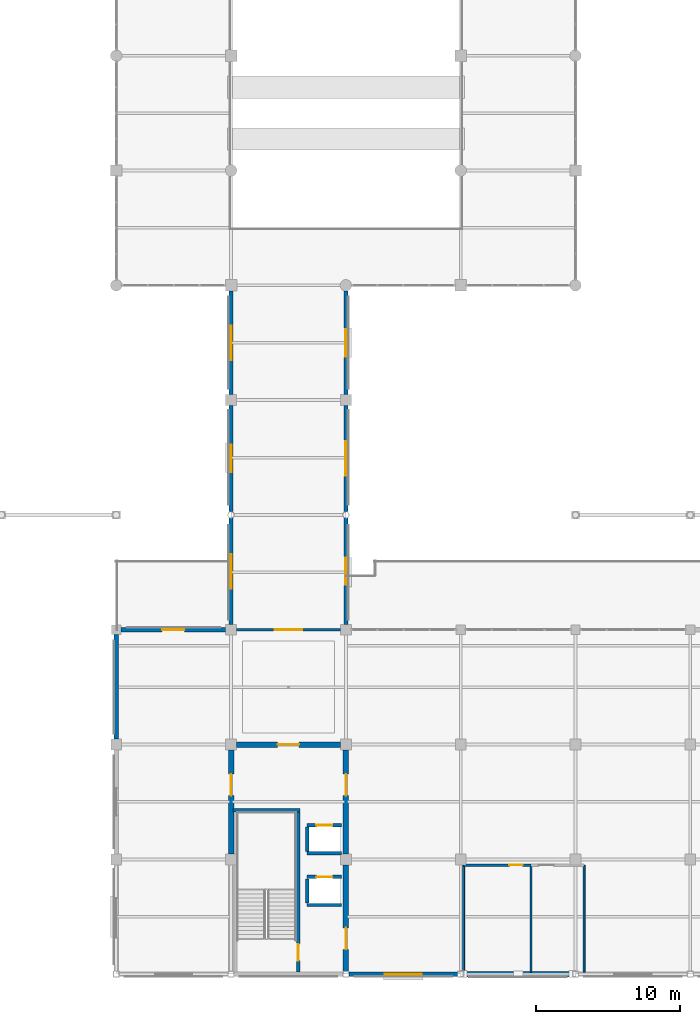
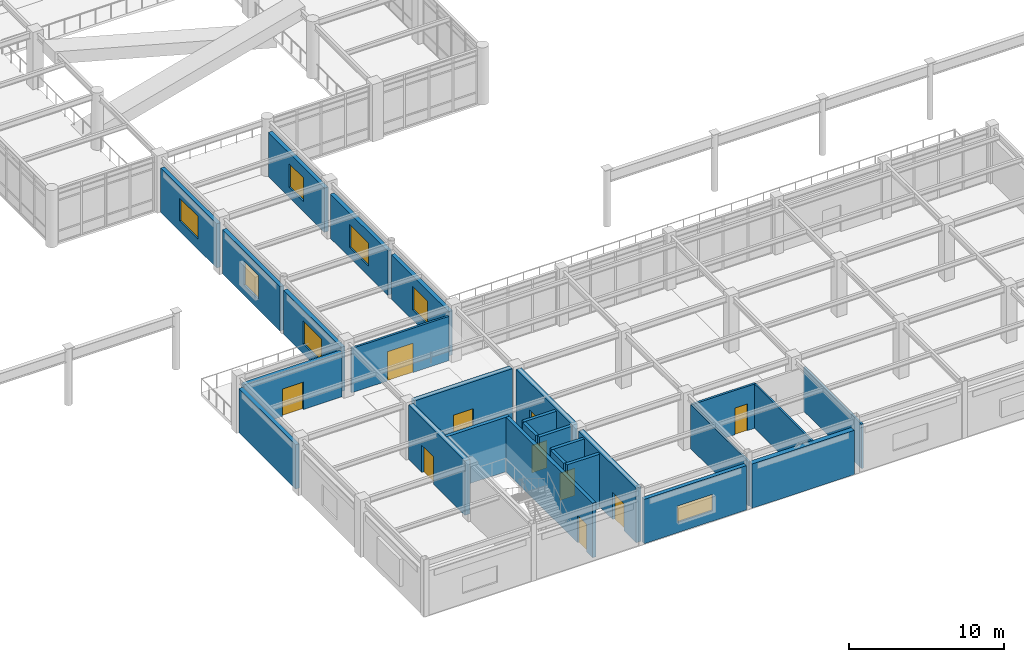
# One storey, part 60 of 78: 27 walls, 10 doors, 7 windows, 17 openings.
"""IFC4 building model written with IfcOpenShell, lengths in metres."""

from ifc_helpers import new_model, si_unit, direction, frame, frame_2d, origin, place, context, subcontext, project, spatial, rectangle, extrude, material, layer, layer_set, type_object, element, fill, save


model = new_model("IFC4")

# Units and contexts
model_context = context("Model", 3, precision=1e-05, world=origin(), true_north=direction((0.0, 1.0)))
body_context = subcontext(model_context, "Body", "Model", "MODEL_VIEW")
ifc_project = project(units=[si_unit("LENGTHUNIT", "METRE"), si_unit("AREAUNIT", "SQUARE_METRE"), si_unit("VOLUMEUNIT", "CUBIC_METRE"), si_unit("PLANEANGLEUNIT", "RADIAN"), si_unit("MASSUNIT", "GRAM", prefix="KILO")], contexts=[model_context])

# Site, building, storey
site_placement = place(None, origin())
site = spatial("IfcSite", under=ifc_project, at=site_placement, CompositionType="ELEMENT")
building_placement = place(site_placement, origin())
building = spatial("IfcBuilding", under=site, at=building_placement, Name="Solmirada Galleria", CompositionType="ELEMENT")
storey_placement = place(building_placement, frame((0.0, 0.0, 23.89990234375)))
storey = spatial("IfcBuildingStorey", under=building, at=storey_placement, Name="L05", CompositionType="ELEMENT", Elevation=23.89990234375)

# Wall, opening, door
ifc_material_1 = material(Name="Concrete C40/50", Category="concrete")
ifc_layer_1 = layer(ifc_material_1, 0.3798828125)
ifc_layer_set_1 = layer_set([ifc_layer_1], Name="Concrete C40/50")
wall_type_1 = type_object("IfcWallType", Name="WL-CORE-380", PredefinedType="SHEAR", material=ifc_layer_set_1)
wall_1_placement = place(storey_placement, frame((88.375, 16.0, 0.0), z_axis=(0.0, 0.0, 1.0), x_axis=(1.0, 0.0, 0.0)))
wall_1 = element("IfcWall", 1, at=wall_1_placement, inside=storey, type_object=wall_type_1, Name="Core C2 shear wall L05 N1", PredefinedType="SHEAR", context=body_context, shape_type="SweptSolid", body=[
    extrude(rectangle(XDim=7.25, YDim=0.3798828125, at=frame_2d((3.625, 0.0))), origin(), (0.0, 0.0, 1.0), 4.280029296875),
])
opening_1_placement = place(wall_1_placement, frame((2.875, 0.0, 0.0)))
opening_1 = element("IfcOpeningElement", 2, at=opening_1_placement, cuts=wall_1, Name="Opening LDY-160", PredefinedType="OPENING", context=body_context, shape_type="SweptSolid", body=[
    extrude(rectangle(XDim=1.5, YDim=2.14990234375, at=frame_2d((0.75, 1.074951171875))), frame((0.0, 0.199951171875, 0.0), z_axis=(0.0, -1.0, 0.0), x_axis=(1.0, 0.0, 0.0)), (0.0, 0.0, 1.0), 0.39990234375),
])
ifc_material_2 = material(Name="Fire-rated painted steel door assembly", Category="steel")
door_type_1 = type_object("IfcDoorType", Name="DR-LOBBY-150X215", OperationType="DOUBLE_DOOR_SINGLE_SWING", PredefinedType="DOOR", material=ifc_material_2)
door_1_placement = place(opening_1_placement, origin())
door_1 = element("IfcDoor", 3, at=door_1_placement, inside=storey, type_object=door_type_1, Name="Core C2 lobby access fire door LDY-160", OperationType="DOUBLE_DOOR_SINGLE_SWING", OverallHeight=2.14990234375, OverallWidth=1.5, PredefinedType="DOOR", context=body_context, shape_type="SweptSolid", body=[
    extrude(rectangle(XDim=1.5, YDim=2.14990234375, at=frame_2d((0.75, 1.074951171875))), frame((0.0, 0.02490234375, 0.0), z_axis=(0.0, -1.0, 0.0), x_axis=(1.0, 0.0, 0.0)), (0.0, 0.0, 1.0), 0.050048828125),
])
fill(opening_1, door_1)

wall_2_placement = place(storey_placement, frame((88.0, 8.375, 0.0), z_axis=(0.0, 0.0, 1.0), x_axis=(0.0, 1.0, 0.0)))
wall_2 = element("IfcWall", 4, at=wall_2_placement, inside=storey, type_object=wall_type_1, Name="Core C2 shear wall L05 W2", PredefinedType="SHEAR", context=body_context, shape_type="SweptSolid", body=[
    extrude(rectangle(XDim=7.25, YDim=0.3798828125, at=frame_2d((3.625, 0.0))), origin(), (0.0, 0.0, 1.0), 4.280029296875),
])
opening_2_placement = place(wall_2_placement, frame((4.06201171875, 0.0, 0.0)))
opening_2 = element("IfcOpeningElement", 5, at=opening_2_placement, cuts=wall_2, Name="Opening LDY-161", PredefinedType="OPENING", context=body_context, shape_type="SweptSolid", body=[
    extrude(rectangle(XDim=1.5, YDim=2.14990234375, at=frame_2d((0.75, 1.074951171875))), frame((0.0, 0.199951171875, 0.0), z_axis=(0.0, -1.0, 0.0), x_axis=(1.0, 0.0, 0.0)), (0.0, 0.0, 1.0), 0.39990234375),
])
door_2_placement = place(opening_2_placement, origin())
door_2 = element("IfcDoor", 6, at=door_2_placement, inside=storey, type_object=door_type_1, Name="Core C2 lobby access fire door LDY-161", OperationType="DOUBLE_DOOR_SINGLE_SWING", OverallHeight=2.14990234375, OverallWidth=1.5, PredefinedType="DOOR", context=body_context, shape_type="SweptSolid", body=[
    extrude(rectangle(XDim=1.5, YDim=2.14990234375, at=frame_2d((0.75, 1.074951171875))), frame((0.0, 0.02490234375, 0.0), z_axis=(0.0, -1.0, 0.0), x_axis=(1.0, 0.0, 0.0)), (0.0, 0.0, 1.0), 0.050048828125),
])
fill(opening_2, door_2)

wall_3_placement = place(storey_placement, frame((96.0, 0.202880859375, 0.0), z_axis=(0.0, 0.0, 1.0), x_axis=(0.0, 1.0, 0.0)))
wall_3 = element("IfcWall", 7, at=wall_3_placement, inside=storey, type_object=wall_type_1, Name="Core C2 shear wall L05 E1", PredefinedType="SHEAR", context=body_context, shape_type="SweptSolid", body=[
    extrude(rectangle(XDim=7.422119140625, YDim=0.3798828125, at=frame_2d((3.7109375, 0.0))), origin(), (0.0, 0.0, 1.0), 4.280029296875),
])
opening_3_placement = place(wall_3_placement, frame((1.52294921875, 0.0, 0.0)))
opening_3 = element("IfcOpeningElement", 8, at=opening_3_placement, cuts=wall_3, Name="Opening LDY-162", PredefinedType="OPENING", context=body_context, shape_type="SweptSolid", body=[
    extrude(rectangle(XDim=1.5, YDim=2.14990234375, at=frame_2d((0.75, 1.074951171875))), frame((0.0, 0.199951171875, 0.0), z_axis=(0.0, -1.0, 0.0), x_axis=(1.0, 0.0, 0.0)), (0.0, 0.0, 1.0), 0.39990234375),
])
door_3_placement = place(opening_3_placement, origin())
door_3 = element("IfcDoor", 9, at=door_3_placement, inside=storey, type_object=door_type_1, Name="Core C2 lobby access fire door LDY-162", OperationType="DOUBLE_DOOR_SINGLE_SWING", OverallHeight=2.14990234375, OverallWidth=1.5, PredefinedType="DOOR", context=body_context, shape_type="SweptSolid", body=[
    extrude(rectangle(XDim=1.5, YDim=2.14990234375, at=frame_2d((0.75, 1.074951171875))), frame((0.0, 0.02490234375, 0.0), z_axis=(0.0, -1.0, 0.0), x_axis=(1.0, 0.0, 0.0)), (0.0, 0.0, 1.0), 0.050048828125),
])
fill(opening_3, door_3)

wall_4_placement = place(storey_placement, frame((96.0, 8.375, 0.0), z_axis=(0.0, 0.0, 1.0), x_axis=(0.0, 1.0, 0.0)))
wall_4 = element("IfcWall", 10, at=wall_4_placement, inside=storey, type_object=wall_type_1, Name="Core C2 shear wall L05 E2", PredefinedType="SHEAR", context=body_context, shape_type="SweptSolid", body=[
    extrude(rectangle(XDim=7.25, YDim=0.3798828125, at=frame_2d((3.625, 0.0))), origin(), (0.0, 0.0, 1.0), 4.280029296875),
])
opening_4_placement = place(wall_4_placement, frame((4.06201171875, 0.0, 0.0)))
opening_4 = element("IfcOpeningElement", 11, at=opening_4_placement, cuts=wall_4, Name="Opening LDY-163", PredefinedType="OPENING", context=body_context, shape_type="SweptSolid", body=[
    extrude(rectangle(XDim=1.5, YDim=2.14990234375, at=frame_2d((0.75, 1.074951171875))), frame((0.0, 0.199951171875, 0.0), z_axis=(0.0, -1.0, 0.0), x_axis=(1.0, 0.0, 0.0)), (0.0, 0.0, 1.0), 0.39990234375),
])
door_4_placement = place(opening_4_placement, origin())
door_4 = element("IfcDoor", 12, at=door_4_placement, inside=storey, type_object=door_type_1, Name="Core C2 lobby access fire door LDY-163", OperationType="DOUBLE_DOOR_SINGLE_SWING", OverallHeight=2.14990234375, OverallWidth=1.5, PredefinedType="DOOR", context=body_context, shape_type="SweptSolid", body=[
    extrude(rectangle(XDim=1.5, YDim=2.14990234375, at=frame_2d((0.75, 1.074951171875))), frame((0.0, 0.02490234375, 0.0), z_axis=(0.0, -1.0, 0.0), x_axis=(1.0, 0.0, 0.0)), (0.0, 0.0, 1.0), 0.050048828125),
])
fill(opening_4, door_4)

# Wall, opening, window
ifc_material_3 = material(Name="Precast concrete C40/50", Category="concrete")
ifc_layer_2 = layer(ifc_material_3, 0.2900390625)
ifc_layer_set_2 = layer_set([ifc_layer_2], Name="Precast concrete C40/50")
wall_type_2 = type_object("IfcWallType", Name="WL-EXT-290", PredefinedType="STANDARD", material=ifc_layer_set_2)
wall_5_placement = place(storey_placement, frame((88.0, 24.375, 0.0), z_axis=(0.0, 0.0, 1.0), x_axis=(0.0, 1.0, 0.0)))
wall_5 = element("IfcWall", 13, at=wall_5_placement, inside=storey, type_object=wall_type_2, Name="Exterior wall L05 bay 001", PredefinedType="STANDARD", context=body_context, shape_type="SweptSolid", body=[
    extrude(rectangle(XDim=7.396484375, YDim=0.2900390625, at=frame_2d((3.6982421875, 0.0))), origin(), (0.0, 0.0, 1.0), 3.47998046875),
])
opening_5_placement = place(wall_5_placement, frame((2.498046875, 0.0, 0.800048828125)))
opening_5 = element("IfcOpeningElement", 14, at=opening_5_placement, cuts=wall_5, Name="Opening WN27", PredefinedType="OPENING", context=body_context, shape_type="SweptSolid", body=[
    extrude(rectangle(XDim=2.39990234375, YDim=1.800048828125, at=frame_2d((1.199951171875, 0.89990234375))), frame((0.0, 0.155029296875, 0.0), z_axis=(0.0, -1.0, 0.0), x_axis=(1.0, 0.0, 0.0)), (0.0, 0.0, 1.0), 0.31005859375),
])
ifc_material_4 = material(Name="Impact-resistant low-E double glazing", Category="glass")
window_type_1 = type_object("IfcWindowType", Name="WIN-MOD-240X180", PartitioningType="DOUBLE_PANEL_VERTICAL", PredefinedType="WINDOW", material=ifc_material_4)
window_1_placement = place(opening_5_placement, origin())
window_1 = element("IfcWindow", 15, at=window_1_placement, inside=storey, type_object=window_type_1, Name="Window L05-147", OverallHeight=1.800048828125, OverallWidth=2.39990234375, PartitioningType="DOUBLE_PANEL_VERTICAL", PredefinedType="WINDOW", context=body_context, shape_type="SweptSolid", body=[
    extrude(rectangle(XDim=2.39990234375, YDim=1.800048828125, at=frame_2d((1.199951171875, 0.89990234375))), frame((0.0, 0.030029296875, 0.0), z_axis=(0.0, -1.0, 0.0), x_axis=(1.0, 0.0, 0.0)), (0.0, 0.0, 1.0), 0.06005859375),
])
fill(opening_5, window_1)

wall_6_placement = place(storey_placement, frame((88.0, 32.228515625, 0.0), z_axis=(0.0, 0.0, 1.0), x_axis=(0.0, 1.0, 0.0)))
wall_6 = element("IfcWall", 16, at=wall_6_placement, inside=storey, type_object=wall_type_2, Name="Exterior wall L05 bay 002", PredefinedType="STANDARD", context=body_context, shape_type="SweptSolid", body=[
    extrude(rectangle(XDim=7.396484375, YDim=0.2900390625, at=frame_2d((3.6982421875, 0.0))), origin(), (0.0, 0.0, 1.0), 3.47998046875),
])
opening_6_placement = place(wall_6_placement, frame((2.748046875, 0.0, 0.800048828125)))
opening_6 = element("IfcOpeningElement", 17, at=opening_6_placement, cuts=wall_6, Name="Opening WN5", PredefinedType="OPENING", context=body_context, shape_type="SweptSolid", body=[
    extrude(rectangle(XDim=1.89990234375, YDim=1.85009765625, at=frame_2d((0.949951171875, 0.925048828125))), frame((0.0, 0.155029296875, 0.0), z_axis=(0.0, -1.0, 0.0), x_axis=(1.0, 0.0, 0.0)), (0.0, 0.0, 1.0), 0.31005859375),
])
window_type_2 = type_object("IfcWindowType", Name="WIN-AVE-190X185", PartitioningType="SINGLE_PANEL", PredefinedType="WINDOW", material=ifc_material_4)
window_2_placement = place(opening_6_placement, origin())
window_2 = element("IfcWindow", 18, at=window_2_placement, inside=storey, type_object=window_type_2, Name="Window L05-148", OverallHeight=1.85009765625, OverallWidth=1.89990234375, PartitioningType="SINGLE_PANEL", PredefinedType="WINDOW", context=body_context, shape_type="SweptSolid", body=[
    extrude(rectangle(XDim=1.89990234375, YDim=1.85009765625, at=frame_2d((0.949951171875, 0.925048828125))), frame((0.0, 0.030029296875, 0.0), z_axis=(0.0, -1.0, 0.0), x_axis=(1.0, 0.0, 0.0)), (0.0, 0.0, 1.0), 0.06005859375),
])
fill(opening_6, window_2)

wall_7_placement = place(storey_placement, frame((88.0, 40.375, 0.0), z_axis=(0.0, 0.0, 1.0), x_axis=(0.0, 1.0, 0.0)))
wall_7 = element("IfcWall", 19, at=wall_7_placement, inside=storey, type_object=wall_type_2, Name="Exterior wall L05 bay 003", PredefinedType="STANDARD", context=body_context, shape_type="SweptSolid", body=[
    extrude(rectangle(XDim=7.22509765625, YDim=0.2900390625, at=frame_2d((3.612548828125, 0.0))), origin(), (0.0, 0.0, 1.0), 3.47998046875),
])
opening_7_placement = place(wall_7_placement, frame((2.4130859375, 0.0, 0.800048828125)))
opening_7 = element("IfcOpeningElement", 20, at=opening_7_placement, cuts=wall_7, Name="Opening WN27", PredefinedType="OPENING", context=body_context, shape_type="SweptSolid", body=[
    extrude(rectangle(XDim=2.39990234375, YDim=1.800048828125, at=frame_2d((1.199951171875, 0.89990234375))), frame((0.0, 0.155029296875, 0.0), z_axis=(0.0, -1.0, 0.0), x_axis=(1.0, 0.0, 0.0)), (0.0, 0.0, 1.0), 0.31005859375),
])
window_3_placement = place(opening_7_placement, origin())
window_3 = element("IfcWindow", 21, at=window_3_placement, inside=storey, type_object=window_type_1, Name="Window L05-149", OverallHeight=1.800048828125, OverallWidth=2.39990234375, PartitioningType="DOUBLE_PANEL_VERTICAL", PredefinedType="WINDOW", context=body_context, shape_type="SweptSolid", body=[
    extrude(rectangle(XDim=2.39990234375, YDim=1.800048828125, at=frame_2d((1.199951171875, 0.89990234375))), frame((0.0, 0.030029296875, 0.0), z_axis=(0.0, -1.0, 0.0), x_axis=(1.0, 0.0, 0.0)), (0.0, 0.0, 1.0), 0.06005859375),
])
fill(opening_7, window_3)

wall_8_placement = place(storey_placement, frame((96.0, 47.60009765625, 0.0), z_axis=(0.0, 0.0, 1.0), x_axis=(0.0, -1.0, 0.0)))
wall_8 = element("IfcWall", 22, at=wall_8_placement, inside=storey, type_object=wall_type_2, Name="Exterior wall L05 bay 045", PredefinedType="STANDARD", context=body_context, shape_type="SweptSolid", body=[
    extrude(rectangle(XDim=7.22509765625, YDim=0.2900390625, at=frame_2d((3.612548828125, 0.0))), origin(), (0.0, 0.0, 1.0), 3.47998046875),
])
opening_8_placement = place(wall_8_placement, frame((2.6630859375, 0.0, 0.800048828125)))
opening_8 = element("IfcOpeningElement", 23, at=opening_8_placement, cuts=wall_8, Name="Opening WN5", PredefinedType="OPENING", context=body_context, shape_type="SweptSolid", body=[
    extrude(rectangle(XDim=1.89990234375, YDim=1.85009765625, at=frame_2d((0.949951171875, 0.925048828125))), frame((0.0, 0.155029296875, 0.0), z_axis=(0.0, -1.0, 0.0), x_axis=(1.0, 0.0, 0.0)), (0.0, 0.0, 1.0), 0.31005859375),
])
window_4_placement = place(opening_8_placement, origin())
window_4 = element("IfcWindow", 24, at=window_4_placement, inside=storey, type_object=window_type_2, Name="Window L05-166", OverallHeight=1.85009765625, OverallWidth=1.89990234375, PartitioningType="SINGLE_PANEL", PredefinedType="WINDOW", context=body_context, shape_type="SweptSolid", body=[
    extrude(rectangle(XDim=1.89990234375, YDim=1.85009765625, at=frame_2d((0.949951171875, 0.925048828125))), frame((0.0, 0.030029296875, 0.0), z_axis=(0.0, -1.0, 0.0), x_axis=(1.0, 0.0, 0.0)), (0.0, 0.0, 1.0), 0.06005859375),
])
fill(opening_8, window_4)

wall_9_placement = place(storey_placement, frame((96.0, 39.625, 0.0), z_axis=(0.0, 0.0, 1.0), x_axis=(0.0, -1.0, 0.0)))
wall_9 = element("IfcWall", 25, at=wall_9_placement, inside=storey, type_object=wall_type_2, Name="Exterior wall L05 bay 046", PredefinedType="STANDARD", context=body_context, shape_type="SweptSolid", body=[
    extrude(rectangle(XDim=7.396484375, YDim=0.2900390625, at=frame_2d((3.6982421875, 0.0))), origin(), (0.0, 0.0, 1.0), 3.47998046875),
])
opening_9_placement = place(wall_9_placement, frame((2.498046875, 0.0, 0.800048828125)))
opening_9 = element("IfcOpeningElement", 26, at=opening_9_placement, cuts=wall_9, Name="Opening WN27", PredefinedType="OPENING", context=body_context, shape_type="SweptSolid", body=[
    extrude(rectangle(XDim=2.39990234375, YDim=1.800048828125, at=frame_2d((1.199951171875, 0.89990234375))), frame((0.0, 0.155029296875, 0.0), z_axis=(0.0, -1.0, 0.0), x_axis=(1.0, 0.0, 0.0)), (0.0, 0.0, 1.0), 0.31005859375),
])
window_5_placement = place(opening_9_placement, origin())
window_5 = element("IfcWindow", 27, at=window_5_placement, inside=storey, type_object=window_type_1, Name="Window L05-167", OverallHeight=1.800048828125, OverallWidth=2.39990234375, PartitioningType="DOUBLE_PANEL_VERTICAL", PredefinedType="WINDOW", context=body_context, shape_type="SweptSolid", body=[
    extrude(rectangle(XDim=2.39990234375, YDim=1.800048828125, at=frame_2d((1.199951171875, 0.89990234375))), frame((0.0, 0.030029296875, 0.0), z_axis=(0.0, -1.0, 0.0), x_axis=(1.0, 0.0, 0.0)), (0.0, 0.0, 1.0), 0.06005859375),
])
fill(opening_9, window_5)

wall_10_placement = place(storey_placement, frame((96.0, 31.771484375, 0.0), z_axis=(0.0, 0.0, 1.0), x_axis=(0.0, -1.0, 0.0)))
wall_10 = element("IfcWall", 28, at=wall_10_placement, inside=storey, type_object=wall_type_2, Name="Exterior wall L05 bay 047", PredefinedType="STANDARD", context=body_context, shape_type="SweptSolid", body=[
    extrude(rectangle(XDim=7.396484375, YDim=0.2900390625, at=frame_2d((3.6982421875, 0.0))), origin(), (0.0, 0.0, 1.0), 3.47998046875),
])
opening_10_placement = place(wall_10_placement, frame((2.748046875, 0.0, 0.800048828125)))
opening_10 = element("IfcOpeningElement", 29, at=opening_10_placement, cuts=wall_10, Name="Opening WN5", PredefinedType="OPENING", context=body_context, shape_type="SweptSolid", body=[
    extrude(rectangle(XDim=1.89990234375, YDim=1.85009765625, at=frame_2d((0.949951171875, 0.925048828125))), frame((0.0, 0.155029296875, 0.0), z_axis=(0.0, -1.0, 0.0), x_axis=(1.0, 0.0, 0.0)), (0.0, 0.0, 1.0), 0.31005859375),
])
window_6_placement = place(opening_10_placement, origin())
window_6 = element("IfcWindow", 30, at=window_6_placement, inside=storey, type_object=window_type_2, Name="Window L05-168", OverallHeight=1.85009765625, OverallWidth=1.89990234375, PartitioningType="SINGLE_PANEL", PredefinedType="WINDOW", context=body_context, shape_type="SweptSolid", body=[
    extrude(rectangle(XDim=1.89990234375, YDim=1.85009765625, at=frame_2d((0.949951171875, 0.925048828125))), frame((0.0, 0.030029296875, 0.0), z_axis=(0.0, -1.0, 0.0), x_axis=(1.0, 0.0, 0.0)), (0.0, 0.0, 1.0), 0.06005859375),
])
fill(opening_10, window_6)

wall_11_placement = place(storey_placement, frame((103.797119140625, 0.0, 0.0), z_axis=(0.0, 0.0, 1.0), x_axis=(-1.0, 0.0, 0.0)))
wall_11 = element("IfcWall", 31, at=wall_11_placement, inside=storey, type_object=wall_type_2, Name="Exterior wall L05 bay 060", PredefinedType="STANDARD", context=body_context, shape_type="SweptSolid", body=[
    extrude(rectangle(XDim=7.59423828125, YDim=0.2900390625, at=frame_2d((3.797119140625, 0.0))), origin(), (0.0, 0.0, 1.0), 3.47998046875),
])
opening_11_placement = place(wall_11_placement, frame((2.4970703125, 0.0, 0.800048828125)))
opening_11 = element("IfcOpeningElement", 32, at=opening_11_placement, cuts=wall_11, Name="Opening WN36", PredefinedType="OPENING", context=body_context, shape_type="SweptSolid", body=[
    extrude(rectangle(XDim=2.60009765625, YDim=1.300048828125, at=frame_2d((1.300048828125, 0.64990234375))), frame((0.0, 0.155029296875, 0.0), z_axis=(0.0, -1.0, 0.0), x_axis=(1.0, 0.0, 0.0)), (0.0, 0.0, 1.0), 0.31005859375),
])
window_type_3 = type_object("IfcWindowType", Name="WIN-CLER-260X130", PartitioningType="DOUBLE_PANEL_VERTICAL", PredefinedType="WINDOW", material=ifc_material_4)
window_7_placement = place(opening_11_placement, origin())
window_7 = element("IfcWindow", 33, at=window_7_placement, inside=storey, type_object=window_type_3, Name="Window L05-174", OverallHeight=1.300048828125, OverallWidth=2.60009765625, PartitioningType="DOUBLE_PANEL_VERTICAL", PredefinedType="WINDOW", context=body_context, shape_type="SweptSolid", body=[
    extrude(rectangle(XDim=2.60009765625, YDim=1.300048828125, at=frame_2d((1.300048828125, 0.64990234375))), frame((0.0, 0.030029296875, 0.0), z_axis=(0.0, -1.0, 0.0), x_axis=(1.0, 0.0, 0.0)), (0.0, 0.0, 1.0), 0.06005859375),
])
fill(opening_11, window_7)

# Wall
wall_12_placement = place(storey_placement, frame((80.0, 16.375, 0.0), z_axis=(0.0, 0.0, 1.0), x_axis=(0.0, 1.0, 0.0)))
element("IfcWall", 34, at=wall_12_placement, inside=storey, type_object=wall_type_2, Name="Exterior wall L05 bay 065", PredefinedType="STANDARD", context=body_context, shape_type="SweptSolid", body=[
    extrude(rectangle(XDim=7.300048828125, YDim=0.2900390625, at=frame_2d((3.64990234375, 0.0))), origin(), (0.0, 0.0, 1.0), 3.47998046875),
])

# Wall, opening, door
wall_13_placement = place(storey_placement, frame((80.324951171875, 24.0, 0.0), z_axis=(0.0, 0.0, 1.0), x_axis=(1.0, 0.0, 0.0)))
wall_13 = element("IfcWall", 35, at=wall_13_placement, inside=storey, type_object=wall_type_2, Name="Exterior wall L05 bay 066", PredefinedType="STANDARD", context=body_context, shape_type="SweptSolid", body=[
    extrude(rectangle(XDim=7.300048828125, YDim=0.2900390625, at=frame_2d((3.64990234375, 0.0))), origin(), (0.0, 0.0, 1.0), 3.47998046875),
])
opening_12_placement = place(wall_13_placement, frame((2.875, 0.0, 0.0)))
opening_12 = element("IfcOpeningElement", 36, at=opening_12_placement, cuts=wall_13, Name="Opening TD-080", PredefinedType="OPENING", context=body_context, shape_type="SweptSolid", body=[
    extrude(rectangle(XDim=1.550048828125, YDim=2.14990234375, at=frame_2d((0.77490234375, 1.074951171875))), frame((0.0, 0.155029296875, 0.0), z_axis=(0.0, -1.0, 0.0), x_axis=(1.0, 0.0, 0.0)), (0.0, 0.0, 1.0), 0.31005859375),
])
ifc_material_5 = material(Name="Thermally broken aluminium and laminated glass door", Category="aluminium")
door_type_2 = type_object("IfcDoorType", Name="DR-TERR-155X215", OperationType="DOUBLE_DOOR_SINGLE_SWING", PredefinedType="DOOR", material=ifc_material_5)
door_5_placement = place(opening_12_placement, origin())
door_5 = element("IfcDoor", 37, at=door_5_placement, inside=storey, type_object=door_type_2, Name="Planted terrace access door TD-080", OperationType="DOUBLE_DOOR_SINGLE_SWING", OverallHeight=2.14990234375, OverallWidth=1.550048828125, PredefinedType="DOOR", context=body_context, shape_type="SweptSolid", body=[
    extrude(rectangle(XDim=1.550048828125, YDim=2.14990234375, at=frame_2d((0.77490234375, 1.074951171875))), frame((0.0, 0.02490234375, 0.0), z_axis=(0.0, -1.0, 0.0), x_axis=(1.0, 0.0, 0.0)), (0.0, 0.0, 1.0), 0.050048828125),
])
fill(opening_12, door_5)

ifc_layer_3 = layer(ifc_material_1, 0.239990234375)
ifc_layer_set_3 = layer_set([ifc_layer_3], Name="Concrete C40/50")
wall_type_3 = type_object("IfcWallType", Name="WL-HOIST-240", PredefinedType="PARTITIONING", material=ifc_layer_set_3)
wall_14_placement = place(storey_placement, frame((93.294921875, 6.780029296875, 0.0), z_axis=(0.0, 0.0, 1.0), x_axis=(1.0, 0.0, 0.0)))
wall_14 = element("IfcWall", 38, at=wall_14_placement, inside=storey, type_object=wall_type_3, Name="Lift LP3 hoistway front wall L05", PredefinedType="PARTITIONING", context=body_context, shape_type="SweptSolid", body=[
    extrude(rectangle(XDim=2.41015625, YDim=0.239990234375, at=frame_2d((1.205078125, 0.0))), origin(), (0.0, 0.0, 1.0), 4.280029296875),
])
opening_13_placement = place(wall_14_placement, frame((0.655029296875, 0.0, 0.0)))
opening_13 = element("IfcOpeningElement", 39, at=opening_13_placement, cuts=wall_14, Name="Opening LD-LP3-L05", PredefinedType="OPENING", context=body_context, shape_type="SweptSolid", body=[
    extrude(rectangle(XDim=1.10009765625, YDim=2.14990234375, at=frame_2d((0.550048828125, 1.074951171875))), frame((0.0, 0.1298828125, 0.0), z_axis=(0.0, -1.0, 0.0), x_axis=(1.0, 0.0, 0.0)), (0.0, 0.0, 1.0), 0.260009765625),
])
ifc_material_6 = material(Name="Brushed stainless-steel sliding landing door", Category="steel")
door_type_3 = type_object("IfcDoorType", Name="DR-LIFT-110X215", OperationType="SLIDING_TO_LEFT", PredefinedType="DOOR", material=ifc_material_6)
door_6_placement = place(opening_13_placement, origin())
door_6 = element("IfcDoor", 40, at=door_6_placement, inside=storey, type_object=door_type_3, Name="Lift LP3 sliding landing door L05", OperationType="SLIDING_TO_LEFT", OverallHeight=2.14990234375, OverallWidth=1.10009765625, PredefinedType="DOOR", context=body_context, shape_type="SweptSolid", body=[
    extrude(rectangle(XDim=1.10009765625, YDim=2.14990234375, at=frame_2d((0.550048828125, 1.074951171875))), frame((0.0, 0.02490234375, 0.0), z_axis=(0.0, -1.0, 0.0), x_axis=(1.0, 0.0, 0.0)), (0.0, 0.0, 1.0), 0.050048828125),
])
fill(opening_13, door_6)

# Walls
wall_15_placement = place(storey_placement, frame((93.294921875, 4.820068359375, 0.0), z_axis=(0.0, 0.0, 1.0), x_axis=(1.0, 0.0, 0.0)))
element("IfcWall", 41, at=wall_15_placement, inside=storey, type_object=wall_type_3, Name="Lift LP3 hoistway rear wall L05", PredefinedType="PARTITIONING", context=body_context, shape_type="SweptSolid", body=[
    extrude(rectangle(XDim=2.41015625, YDim=0.239990234375, at=frame_2d((1.205078125, 0.0))), origin(), (0.0, 0.0, 1.0), 4.280029296875),
])
wall_16_placement = place(storey_placement, frame((93.294921875, 4.9599609375, 0.0), z_axis=(0.0, 0.0, 1.0), x_axis=(0.0, 1.0, 0.0)))
element("IfcWall", 42, at=wall_16_placement, inside=storey, type_object=wall_type_3, Name="Lift LP3 hoistway side wall L L05", PredefinedType="PARTITIONING", context=body_context, shape_type="SweptSolid", body=[
    extrude(rectangle(XDim=1.679931640625, YDim=0.239990234375, at=frame_2d((0.83984375, 0.0))), origin(), (0.0, 0.0, 1.0), 4.280029296875),
])

# Wall, opening, door
wall_17_placement = place(storey_placement, frame((93.294921875, 10.3798828125, 0.0), z_axis=(0.0, 0.0, 1.0), x_axis=(1.0, 0.0, 0.0)))
wall_17 = element("IfcWall", 43, at=wall_17_placement, inside=storey, type_object=wall_type_3, Name="Lift LP4 hoistway front wall L05", PredefinedType="PARTITIONING", context=body_context, shape_type="SweptSolid", body=[
    extrude(rectangle(XDim=2.41015625, YDim=0.239990234375, at=frame_2d((1.205078125, 0.0))), origin(), (0.0, 0.0, 1.0), 4.280029296875),
])
opening_14_placement = place(wall_17_placement, frame((0.655029296875, 0.0, 0.0)))
opening_14 = element("IfcOpeningElement", 44, at=opening_14_placement, cuts=wall_17, Name="Opening LD-LP4-L05", PredefinedType="OPENING", context=body_context, shape_type="SweptSolid", body=[
    extrude(rectangle(XDim=1.10009765625, YDim=2.14990234375, at=frame_2d((0.550048828125, 1.074951171875))), frame((0.0, 0.1298828125, 0.0), z_axis=(0.0, -1.0, 0.0), x_axis=(1.0, 0.0, 0.0)), (0.0, 0.0, 1.0), 0.260009765625),
])
door_7_placement = place(opening_14_placement, origin())
door_7 = element("IfcDoor", 45, at=door_7_placement, inside=storey, type_object=door_type_3, Name="Lift LP4 sliding landing door L05", OperationType="SLIDING_TO_LEFT", OverallHeight=2.14990234375, OverallWidth=1.10009765625, PredefinedType="DOOR", context=body_context, shape_type="SweptSolid", body=[
    extrude(rectangle(XDim=1.10009765625, YDim=2.14990234375, at=frame_2d((0.550048828125, 1.074951171875))), frame((0.0, 0.02490234375, 0.0), z_axis=(0.0, -1.0, 0.0), x_axis=(1.0, 0.0, 0.0)), (0.0, 0.0, 1.0), 0.050048828125),
])
fill(opening_14, door_7)

# Walls
wall_18_placement = place(storey_placement, frame((93.294921875, 8.419921875, 0.0), z_axis=(0.0, 0.0, 1.0), x_axis=(1.0, 0.0, 0.0)))
element("IfcWall", 46, at=wall_18_placement, inside=storey, type_object=wall_type_3, Name="Lift LP4 hoistway rear wall L05", PredefinedType="PARTITIONING", context=body_context, shape_type="SweptSolid", body=[
    extrude(rectangle(XDim=2.41015625, YDim=0.239990234375, at=frame_2d((1.205078125, 0.0))), origin(), (0.0, 0.0, 1.0), 4.280029296875),
])
wall_19_placement = place(storey_placement, frame((93.294921875, 8.56005859375, 0.0), z_axis=(0.0, 0.0, 1.0), x_axis=(0.0, 1.0, 0.0)))
element("IfcWall", 47, at=wall_19_placement, inside=storey, type_object=wall_type_3, Name="Lift LP4 hoistway side wall L L05", PredefinedType="PARTITIONING", context=body_context, shape_type="SweptSolid", body=[
    extrude(rectangle(XDim=1.679931640625, YDim=0.239990234375, at=frame_2d((0.83984375, 0.0))), origin(), (0.0, 0.0, 1.0), 4.280029296875),
])
ifc_material_7 = material(Name="Acoustic gypsum board partition")
ifc_layer_4 = layer(ifc_material_7, 0.135009765625)
ifc_layer_set_4 = layer_set([ifc_layer_4], Name="Acoustic gypsum board partition")
wall_type_4 = type_object("IfcWallType", Name="WL-PART-135", PredefinedType="PARTITIONING", material=ifc_layer_set_4)
for number, where, z_axis, x_axis, name in (
    (48, (104.199951171875, 0.14990234375, 0.0), (0.0, 0.0, 1.0), (0.0, 1.0, 0.0), "Partition L05-151 (South WC West)"),
    (49, (108.89990234375, 0.14990234375, 0.0), (0.0, 0.0, 1.0), (0.0, 1.0, 0.0), "Partition L05-152 (South WC Divider)"),
    (50, (112.60009765625, 0.14990234375, 0.0), (0.0, 0.0, 1.0), (0.0, 1.0, 0.0), "Partition L05-153 (South WC East)"),
):
    element("IfcWall", number, at=place(storey_placement, frame(where, z_axis=z_axis, x_axis=x_axis)), inside=storey, type_object=wall_type_4, Name=name, PredefinedType="PARTITIONING", context=body_context, shape_type="SweptSolid", body=[
        extrude(rectangle(XDim=7.4501953125, YDim=0.135009765625, at=frame_2d((3.72509765625, 0.0))), origin(), (0.0, 0.0, 1.0), 3.47998046875),
    ])

# Wall, opening, door
ifc_layer_5 = layer(ifc_material_7, 0.159912109375)
ifc_layer_set_5 = layer_set([ifc_layer_5], Name="Acoustic gypsum board partition")
wall_type_5 = type_object("IfcWallType", Name="WL-PART-160", PredefinedType="PARTITIONING", material=ifc_layer_set_5)
wall_20_placement = place(storey_placement, frame((104.199951171875, 7.60009765625, 0.0), z_axis=(0.0, 0.0, 1.0), x_axis=(1.0, 0.0, 0.0)))
wall_20 = element("IfcWall", 51, at=wall_20_placement, inside=storey, type_object=wall_type_5, Name="Partition L05-149 (South Restroom)", PredefinedType="PARTITIONING", context=body_context, shape_type="SweptSolid", body=[
    extrude(rectangle(XDim=4.699951171875, YDim=0.159912109375, at=frame_2d((2.35009765625, 0.0))), origin(), (0.0, 0.0, 1.0), 3.47998046875),
])
opening_15_placement = place(wall_20_placement, frame((3.193115234375, 0.0, 0.0)))
opening_15 = element("IfcOpeningElement", 52, at=opening_15_placement, cuts=wall_20, Name="Opening ID-366", PredefinedType="OPENING", context=body_context, shape_type="SweptSolid", body=[
    extrude(rectangle(XDim=0.919921875, YDim=2.10009765625, at=frame_2d((0.4599609375, 1.050048828125))), frame((0.0, 0.08984375, 0.0), z_axis=(0.0, -1.0, 0.0), x_axis=(1.0, 0.0, 0.0)), (0.0, 0.0, 1.0), 0.179931640625),
])
ifc_material_8 = material(Name="Architectural hardwood veneer door", Category="wood")
door_type_4 = type_object("IfcDoorType", Name="DR-WC-092X210", OperationType="NOTDEFINED", PredefinedType="DOOR", material=ifc_material_8)
door_8_placement = place(opening_15_placement, origin())
door_8 = element("IfcDoor", 53, at=door_8_placement, inside=storey, type_object=door_type_4, Name="South Restroom door ID-366", OperationType="SINGLE_SWING_LEFT", OverallHeight=2.10009765625, OverallWidth=0.919921875, PredefinedType="DOOR", context=body_context, shape_type="SweptSolid", body=[
    extrude(rectangle(XDim=0.919921875, YDim=2.10009765625, at=frame_2d((0.4599609375, 1.050048828125))), frame((0.0, 0.02490234375, 0.0), z_axis=(0.0, -1.0, 0.0), x_axis=(1.0, 0.0, 0.0)), (0.0, 0.0, 1.0), 0.050048828125),
])
fill(opening_15, door_8)

wall_21_placement = place(storey_placement, frame((88.375, 24.0, 0.0), z_axis=(0.0, 0.0, 1.0), x_axis=(1.0, 0.0, 0.0)))
wall_21 = element("IfcWall", 54, at=wall_21_placement, inside=storey, type_object=wall_type_5, Name="Partition L05-154 (South Atrium Link L05)", PredefinedType="PARTITIONING", context=body_context, shape_type="SweptSolid", body=[
    extrude(rectangle(XDim=7.25, YDim=0.159912109375, at=frame_2d((3.625, 0.0))), origin(), (0.0, 0.0, 1.0), 3.47998046875),
])
opening_16_placement = place(wall_21_placement, frame((2.675048828125, 0.0, 0.0)))
opening_16 = element("IfcOpeningElement", 55, at=opening_16_placement, cuts=wall_21, Name="Opening ID-368", PredefinedType="OPENING", context=body_context, shape_type="SweptSolid", body=[
    extrude(rectangle(XDim=1.89990234375, YDim=2.300048828125, at=frame_2d((0.949951171875, 1.14990234375))), frame((0.0, 0.08984375, 0.0), z_axis=(0.0, -1.0, 0.0), x_axis=(1.0, 0.0, 0.0)), (0.0, 0.0, 1.0), 0.179931640625),
])
door_type_5 = type_object("IfcDoorType", Name="DR-DEPT-190X230", OperationType="DOUBLE_DOOR_SINGLE_SWING", PredefinedType="DOOR", material=ifc_material_8)
door_9_placement = place(opening_16_placement, origin())
door_9 = element("IfcDoor", 56, at=door_9_placement, inside=storey, type_object=door_type_5, Name="South Atrium Link L05 door ID-368", OperationType="DOUBLE_DOOR_SINGLE_SWING", OverallHeight=2.300048828125, OverallWidth=1.89990234375, PredefinedType="DOOR", context=body_context, shape_type="SweptSolid", body=[
    extrude(rectangle(XDim=1.89990234375, YDim=2.300048828125, at=frame_2d((0.949951171875, 1.14990234375))), frame((0.0, 0.02490234375, 0.0), z_axis=(0.0, -1.0, 0.0), x_axis=(1.0, 0.0, 0.0)), (0.0, 0.0, 1.0), 0.050048828125),
])
fill(opening_16, door_9)

# Wall
ifc_layer_6 = layer(ifc_material_1, 0.260009765625)
ifc_layer_set_6 = layer_set([ifc_layer_6], Name="Concrete C40/50")
wall_type_6 = type_object("IfcWallType", Name="WL-SHAFT-260", PredefinedType="SHEAR", material=ifc_layer_set_6)
wall_22_placement = place(storey_placement, frame((88.139892578125, 11.429931640625, 0.0), z_axis=(0.0, 0.0, 1.0), x_axis=(1.0, 0.0, 0.0)))
element("IfcWall", 57, at=wall_22_placement, inside=storey, type_object=wall_type_6, Name="Stair ST2 enclosure wall L05 N", PredefinedType="SHEAR", context=body_context, shape_type="SweptSolid", body=[
    extrude(rectangle(XDim=4.670166015625, YDim=0.260009765625, at=frame_2d((2.3349609375, 0.0))), origin(), (0.0, 0.0, 1.0), 4.280029296875),
])

# Wall, opening, door
wall_23_placement = place(storey_placement, frame((92.679931640625, 0.14501953125, 0.0), z_axis=(0.0, 0.0, 1.0), x_axis=(0.0, 1.0, 0.0)))
wall_23 = element("IfcWall", 58, at=wall_23_placement, inside=storey, type_object=wall_type_6, Name="Stair ST2 enclosure wall L05 E", PredefinedType="SHEAR", context=body_context, shape_type="SweptSolid", body=[
    extrude(rectangle(XDim=11.155029296875, YDim=0.260009765625, at=frame_2d((5.57763671875, 0.0))), origin(), (0.0, 0.0, 1.0), 4.280029296875),
])
opening_17_placement = place(wall_23_placement, frame((0.804931640625, 0.0, 0.0)))
opening_17 = element("IfcOpeningElement", 59, at=opening_17_placement, cuts=wall_23, Name="Opening SD-159", PredefinedType="OPENING", context=body_context, shape_type="SweptSolid", body=[
    extrude(rectangle(XDim=1.14990234375, YDim=2.14990234375, at=frame_2d((0.574951171875, 1.074951171875))), frame((0.0, 0.139892578125, 0.0), z_axis=(0.0, -1.0, 0.0), x_axis=(1.0, 0.0, 0.0)), (0.0, 0.0, 1.0), 0.280029296875),
])
door_type_6 = type_object("IfcDoorType", Name="DR-STAIR-115X215", OperationType="NOTDEFINED", PredefinedType="DOOR", material=ifc_material_2)
door_10_placement = place(opening_17_placement, origin())
door_10 = element("IfcDoor", 60, at=door_10_placement, inside=storey, type_object=door_type_6, Name="Exit stair ST2 enclosure fire door SD-159", OperationType="SINGLE_SWING_LEFT", OverallHeight=2.14990234375, OverallWidth=1.14990234375, PredefinedType="DOOR", context=body_context, shape_type="SweptSolid", body=[
    extrude(rectangle(XDim=1.14990234375, YDim=2.14990234375, at=frame_2d((0.574951171875, 1.074951171875))), frame((0.0, 0.02490234375, 0.0), z_axis=(0.0, -1.0, 0.0), x_axis=(1.0, 0.0, 0.0)), (0.0, 0.0, 1.0), 0.050048828125),
])
fill(opening_17, door_10)

# Wall
ifc_material_9 = material(Name="Architectural concrete masonry C30/37", Category="masonry")
ifc_layer_7 = layer(ifc_material_9, 0.360107421875)
ifc_layer_set_7 = layer_set([ifc_layer_7], Name="Architectural concrete masonry C30/37")
wall_type_7 = type_object("IfcWallType", Name="WL-SOLID-360", PredefinedType="SOLIDWALL", material=ifc_layer_set_7)
wall_24_placement = place(storey_placement, frame((111.797119140625, 0.0, 0.0), z_axis=(0.0, 0.0, 1.0), x_axis=(-1.0, 0.0, 0.0)))
element("IfcWall", 61, at=wall_24_placement, inside=storey, type_object=wall_type_7, Name="Exterior wall L05 bay 059", PredefinedType="SOLIDWALL", context=body_context, shape_type="SweptSolid", body=[
    extrude(rectangle(XDim=7.59423828125, YDim=0.360107421875, at=frame_2d((3.797119140625, 0.0))), origin(), (0.0, 0.0, 1.0), 3.47998046875),
])

save(model, "model.ifc")
